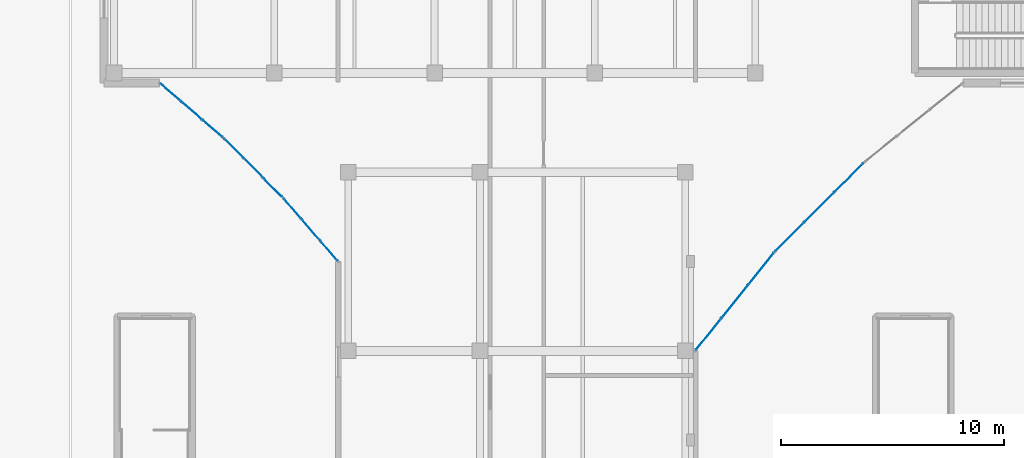
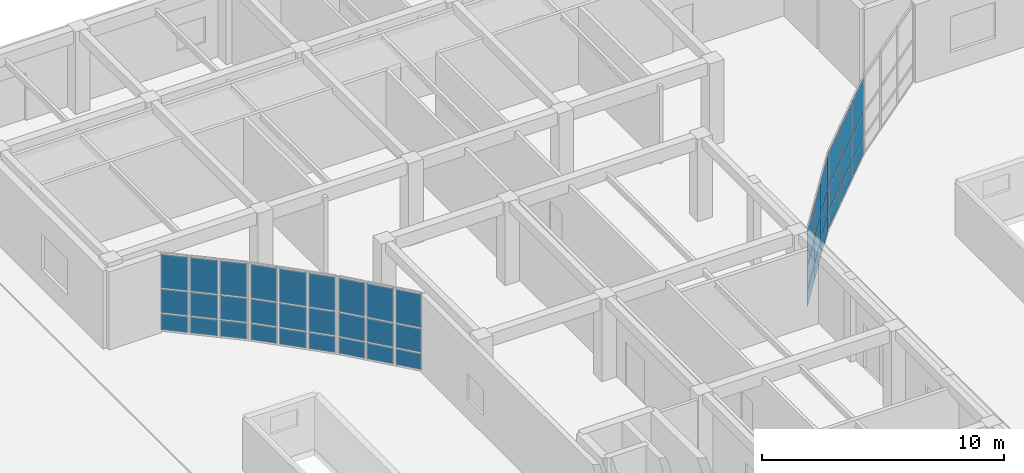
# One storey, part 65 of 114: 45 plates, 5 elements without a shape of their own.
"""IFC4 building model written with IfcOpenShell, lengths in metres."""

from ifc_helpers import new_model, si_unit, direction, frame, origin, origin_2d, place, context, subcontext, project, spatial, rectangle, extrude, material, layer, layer_set, type_object, element, aggregate, save


model = new_model("IFC4")

# Units and contexts
model_context = context("Model", 3, precision=1e-05, world=origin(), true_north=direction((0.0, 1.0)))
body_context = subcontext(model_context, "Body", "Model", "MODEL_VIEW")
ifc_project = project(units=[si_unit("LENGTHUNIT", "METRE"), si_unit("AREAUNIT", "SQUARE_METRE"), si_unit("VOLUMEUNIT", "CUBIC_METRE"), si_unit("PLANEANGLEUNIT", "RADIAN"), si_unit("MASSUNIT", "GRAM", prefix="KILO")], contexts=[model_context])

# Site, building, storey
site_placement = place(None, origin())
site = spatial("IfcSite", under=ifc_project, at=site_placement, CompositionType="ELEMENT")
building_placement = place(site_placement, origin())
building = spatial("IfcBuilding", under=site, at=building_placement, Name="Keldmere Railside Commons", CompositionType="ELEMENT")
storey_placement = place(building_placement, origin())
storey = spatial("IfcBuildingStorey", under=building, at=storey_placement, Name="L00", CompositionType="ELEMENT", Elevation=0.0)

# Curtain wall, plates
ifc_material_1 = material(Name="Thermally Broken Aluminium", Category="aluminium")
ifc_layer_1 = layer(ifc_material_1, 0.159912109375, Name="Residential Ground Entrance Lobby CW 4000x3600")
ifc_layer_set_1 = layer_set([ifc_layer_1], Name="Thermally Broken Aluminium")
curtain_wall_type_1 = type_object("IfcCurtainWallType", Name="Residential Ground Entrance Lobby CW 4000x3600", PredefinedType="NOTDEFINED", material=ifc_layer_set_1)
curtain_wall_1_placement = place(storey_placement, origin())
curtain_wall_1 = element("IfcCurtainWall", 1, at=curtain_wall_1_placement, inside=storey, type_object=curtain_wall_type_1, Name="CW-10 CW-L00-085", PredefinedType="NOTDEFINED")
ifc_material_2 = material(Name="Low-E Insulated Double Glazing", Category="glass")
ifc_layer_2 = layer(ifc_material_2, 0.033935546875, Name="Acoustic Laminated Vision Panel 34")
ifc_layer_set_2 = layer_set([ifc_layer_2], Name="Low-E Insulated Double Glazing")
plate_type_1 = type_object("IfcPlateType", Name="Acoustic Laminated Vision Panel 34", PredefinedType="CURTAIN_PANEL", material=ifc_layer_set_2)
plate_1_placement = place(storey_placement, frame((122.951416015625, 91.678955078125, 0.06494140625), z_axis=(0.0, 0.0, 1.0), x_axis=(-0.625768080915, -0.780009172323, 0.0)))
plate_1 = element("IfcPlate", 2, at=plate_1_placement, type_object=plate_type_1, Name="CW-10 panel 1.1", PredefinedType="CURTAIN_PANEL", context=body_context, shape_type="SweptSolid", body=[
    extrude(rectangle(XDim=1.795654296875, YDim=0.033935546875, at=origin_2d()), origin(), (0.0, 0.0, 1.0), 0.802490234375),
])
plate_2_placement = place(storey_placement, frame((122.951416015625, 91.678955078125, 0.932373046875), z_axis=(0.0, 0.0, 1.0), x_axis=(-0.625768080915, -0.780009172323, 0.0)))
plate_2 = element("IfcPlate", 3, at=plate_2_placement, type_object=plate_type_1, Name="CW-10 panel 1.2", PredefinedType="CURTAIN_PANEL", context=body_context, shape_type="SweptSolid", body=[
    extrude(rectangle(XDim=1.795654296875, YDim=0.033935546875, at=origin_2d()), origin(), (0.0, 0.0, 1.0), 1.18505859375),
])
plate_3_placement = place(storey_placement, frame((122.951416015625, 91.678955078125, 2.1826171875), z_axis=(0.0, 0.0, 1.0), x_axis=(-0.625768080915, -0.780009172323, 0.0)))
plate_3 = element("IfcPlate", 4, at=plate_3_placement, type_object=plate_type_1, Name="CW-10 panel 1.3", PredefinedType="CURTAIN_PANEL", context=body_context, shape_type="SweptSolid", body=[
    extrude(rectangle(XDim=1.795654296875, YDim=0.033935546875, at=origin_2d()), origin(), (0.0, 0.0, 1.0), 1.6923828125),
])
plate_4_placement = place(storey_placement, frame((121.777099609375, 90.215087890625, 0.06494140625), z_axis=(0.0, 0.0, 1.0), x_axis=(-0.625768080915, -0.780009172323, 0.0)))
plate_4 = element("IfcPlate", 5, at=plate_4_placement, type_object=plate_type_1, Name="CW-10 panel 2.1", PredefinedType="CURTAIN_PANEL", context=body_context, shape_type="SweptSolid", body=[
    extrude(rectangle(XDim=1.828125, YDim=0.033935546875, at=origin_2d()), origin(), (0.0, 0.0, 1.0), 0.802490234375),
])
plate_5_placement = place(storey_placement, frame((121.777099609375, 90.215087890625, 0.932373046875), z_axis=(0.0, 0.0, 1.0), x_axis=(-0.625768080915, -0.780009172323, 0.0)))
plate_5 = element("IfcPlate", 6, at=plate_5_placement, type_object=plate_type_1, Name="CW-10 panel 2.2", PredefinedType="CURTAIN_PANEL", context=body_context, shape_type="SweptSolid", body=[
    extrude(rectangle(XDim=1.828125, YDim=0.033935546875, at=origin_2d()), origin(), (0.0, 0.0, 1.0), 1.18505859375),
])
plate_6_placement = place(storey_placement, frame((121.777099609375, 90.215087890625, 2.1826171875), z_axis=(0.0, 0.0, 1.0), x_axis=(-0.625768080915, -0.780009172323, 0.0)))
plate_6 = element("IfcPlate", 7, at=plate_6_placement, type_object=plate_type_1, Name="CW-10 panel 2.3", PredefinedType="CURTAIN_PANEL", context=body_context, shape_type="SweptSolid", body=[
    extrude(rectangle(XDim=1.828125, YDim=0.033935546875, at=origin_2d()), origin(), (0.0, 0.0, 1.0), 1.6923828125),
])
plate_7_placement = place(storey_placement, frame((120.6025390625, 88.7509765625, 0.06494140625), z_axis=(0.0, 0.0, 1.0), x_axis=(-0.625768080915, -0.780009172323, 0.0)))
plate_7 = element("IfcPlate", 8, at=plate_7_placement, type_object=plate_type_1, Name="CW-10 panel 3.1", PredefinedType="CURTAIN_PANEL", context=body_context, shape_type="SweptSolid", body=[
    extrude(rectangle(XDim=1.795654296875, YDim=0.033935546875, at=origin_2d()), origin(), (0.0, 0.0, 1.0), 0.802490234375),
])
plate_8_placement = place(storey_placement, frame((120.6025390625, 88.7509765625, 0.932373046875), z_axis=(0.0, 0.0, 1.0), x_axis=(-0.625768080915, -0.780009172323, 0.0)))
plate_8 = element("IfcPlate", 9, at=plate_8_placement, type_object=plate_type_1, Name="CW-10 panel 3.2", PredefinedType="CURTAIN_PANEL", context=body_context, shape_type="SweptSolid", body=[
    extrude(rectangle(XDim=1.795654296875, YDim=0.033935546875, at=origin_2d()), origin(), (0.0, 0.0, 1.0), 1.18505859375),
])
plate_9_placement = place(storey_placement, frame((120.6025390625, 88.7509765625, 2.1826171875), z_axis=(0.0, 0.0, 1.0), x_axis=(-0.625768080915, -0.780009172323, 0.0)))
plate_9 = element("IfcPlate", 10, at=plate_9_placement, type_object=plate_type_1, Name="CW-10 panel 3.3", PredefinedType="CURTAIN_PANEL", context=body_context, shape_type="SweptSolid", body=[
    extrude(rectangle(XDim=1.795654296875, YDim=0.033935546875, at=origin_2d()), origin(), (0.0, 0.0, 1.0), 1.6923828125),
])
aggregate(curtain_wall_1, [plate_1, plate_2, plate_3, plate_4, plate_5, plate_6, plate_7, plate_8, plate_9])

curtain_wall_2_placement = place(storey_placement, origin())
curtain_wall_2 = element("IfcCurtainWall", 11, at=curtain_wall_2_placement, inside=storey, type_object=curtain_wall_type_1, Name="CW-10 CW-L00-088", PredefinedType="NOTDEFINED")
plate_10_placement = place(storey_placement, frame((98.369384765625, 97.952392578125, 0.06494140625), z_axis=(0.0, 0.0, 1.0), x_axis=(-0.756596767584, 0.653881741053, 0.0)))
plate_10 = element("IfcPlate", 12, at=plate_10_placement, type_object=plate_type_1, Name="CW-10 panel 1.1", PredefinedType="CURTAIN_PANEL", context=body_context, shape_type="SweptSolid", body=[
    extrude(rectangle(XDim=1.16162109375, YDim=0.033935546875, at=origin_2d()), origin(), (0.0, 0.0, 1.0), 0.802490234375),
])
plate_11_placement = place(storey_placement, frame((98.369384765625, 97.952392578125, 0.932373046875), z_axis=(0.0, 0.0, 1.0), x_axis=(-0.756596767584, 0.653881741053, 0.0)))
plate_11 = element("IfcPlate", 13, at=plate_11_placement, type_object=plate_type_1, Name="CW-10 panel 1.2", PredefinedType="CURTAIN_PANEL", context=body_context, shape_type="SweptSolid", body=[
    extrude(rectangle(XDim=1.16162109375, YDim=0.033935546875, at=origin_2d()), origin(), (0.0, 0.0, 1.0), 1.18505859375),
])
plate_12_placement = place(storey_placement, frame((98.369384765625, 97.952392578125, 2.1826171875), z_axis=(0.0, 0.0, 1.0), x_axis=(-0.756596767584, 0.653881741053, 0.0)))
plate_12 = element("IfcPlate", 14, at=plate_12_placement, type_object=plate_type_1, Name="CW-10 panel 1.3", PredefinedType="CURTAIN_PANEL", context=body_context, shape_type="SweptSolid", body=[
    extrude(rectangle(XDim=1.16162109375, YDim=0.033935546875, at=origin_2d()), origin(), (0.0, 0.0, 1.0), 1.6923828125),
])
plate_13_placement = place(storey_placement, frame((97.428955078125, 98.764892578125, 0.06494140625), z_axis=(0.0, 0.0, 1.0), x_axis=(-0.756596767584, 0.653881741053, 0.0)))
plate_13 = element("IfcPlate", 15, at=plate_13_placement, type_object=plate_type_1, Name="CW-10 panel 2.1", PredefinedType="CURTAIN_PANEL", context=body_context, shape_type="SweptSolid", body=[
    extrude(rectangle(XDim=1.194091796875, YDim=0.033935546875, at=origin_2d()), origin(), (0.0, 0.0, 1.0), 0.802490234375),
])
plate_14_placement = place(storey_placement, frame((97.428955078125, 98.764892578125, 0.932373046875), z_axis=(0.0, 0.0, 1.0), x_axis=(-0.756596767584, 0.653881741053, 0.0)))
plate_14 = element("IfcPlate", 16, at=plate_14_placement, type_object=plate_type_1, Name="CW-10 panel 2.2", PredefinedType="CURTAIN_PANEL", context=body_context, shape_type="SweptSolid", body=[
    extrude(rectangle(XDim=1.194091796875, YDim=0.033935546875, at=origin_2d()), origin(), (0.0, 0.0, 1.0), 1.18505859375),
])
plate_15_placement = place(storey_placement, frame((97.428955078125, 98.764892578125, 2.1826171875), z_axis=(0.0, 0.0, 1.0), x_axis=(-0.756596767584, 0.653881741053, 0.0)))
plate_15 = element("IfcPlate", 17, at=plate_15_placement, type_object=plate_type_1, Name="CW-10 panel 2.3", PredefinedType="CURTAIN_PANEL", context=body_context, shape_type="SweptSolid", body=[
    extrude(rectangle(XDim=1.194091796875, YDim=0.033935546875, at=origin_2d()), origin(), (0.0, 0.0, 1.0), 1.6923828125),
])
plate_16_placement = place(storey_placement, frame((96.488525390625, 99.57763671875, 0.06494140625), z_axis=(0.0, 0.0, 1.0), x_axis=(-0.756596767584, 0.653881741053, 0.0)))
plate_16 = element("IfcPlate", 18, at=plate_16_placement, type_object=plate_type_1, Name="CW-10 panel 3.1", PredefinedType="CURTAIN_PANEL", context=body_context, shape_type="SweptSolid", body=[
    extrude(rectangle(XDim=1.16162109375, YDim=0.033935546875, at=origin_2d()), origin(), (0.0, 0.0, 1.0), 0.802490234375),
])
plate_17_placement = place(storey_placement, frame((96.488525390625, 99.57763671875, 0.932373046875), z_axis=(0.0, 0.0, 1.0), x_axis=(-0.756596767584, 0.653881741053, 0.0)))
plate_17 = element("IfcPlate", 19, at=plate_17_placement, type_object=plate_type_1, Name="CW-10 panel 3.2", PredefinedType="CURTAIN_PANEL", context=body_context, shape_type="SweptSolid", body=[
    extrude(rectangle(XDim=1.16162109375, YDim=0.033935546875, at=origin_2d()), origin(), (0.0, 0.0, 1.0), 1.18505859375),
])
plate_18_placement = place(storey_placement, frame((96.488525390625, 99.57763671875, 2.1826171875), z_axis=(0.0, 0.0, 1.0), x_axis=(-0.756596767584, 0.653881741053, 0.0)))
plate_18 = element("IfcPlate", 20, at=plate_18_placement, type_object=plate_type_1, Name="CW-10 panel 3.3", PredefinedType="CURTAIN_PANEL", context=body_context, shape_type="SweptSolid", body=[
    extrude(rectangle(XDim=1.16162109375, YDim=0.033935546875, at=origin_2d()), origin(), (0.0, 0.0, 1.0), 1.6923828125),
])
aggregate(curtain_wall_2, [plate_10, plate_11, plate_12, plate_13, plate_14, plate_15, plate_16, plate_17, plate_18])

ifc_layer_3 = layer(ifc_material_1, 0.159912109375, Name="Residential Lounge Frontage CW 4600x3600")
ifc_layer_set_3 = layer_set([ifc_layer_3], Name="Thermally Broken Aluminium")
curtain_wall_type_2 = type_object("IfcCurtainWallType", Name="Residential Lounge Frontage CW 4600x3600", PredefinedType="NOTDEFINED", material=ifc_layer_set_3)
curtain_wall_3_placement = place(storey_placement, origin())
curtain_wall_3 = element("IfcCurtainWall", 21, at=curtain_wall_3_placement, inside=storey, type_object=curtain_wall_type_2, Name="CW-11 CW-L00-086", PredefinedType="NOTDEFINED")
ifc_layer_4 = layer(ifc_material_2, 0.031982421875, Name="Clerestory Solar-Control Vision Panel 32")
ifc_layer_set_4 = layer_set([ifc_layer_4], Name="Low-E Insulated Double Glazing")
plate_type_2 = type_object("IfcPlateType", Name="Clerestory Solar-Control Vision Panel 32", PredefinedType="CURTAIN_PANEL", material=ifc_layer_set_4)
plate_19_placement = place(storey_placement, frame((126.88916015625, 95.76513671875, 0.06494140625), z_axis=(0.0, 0.0, 1.0), x_axis=(-0.707106781187, -0.707106781187, 0.0)))
plate_19 = element("IfcPlate", 22, at=plate_19_placement, type_object=plate_type_2, Name="CW-11 panel 1.1", PredefinedType="CURTAIN_PANEL", context=body_context, shape_type="SweptSolid", body=[
    extrude(rectangle(XDim=1.795654296875, YDim=0.031982421875, at=origin_2d()), origin(), (0.0, 0.0, 1.0), 0.802490234375),
])
plate_20_placement = place(storey_placement, frame((126.88916015625, 95.76513671875, 0.932373046875), z_axis=(0.0, 0.0, 1.0), x_axis=(-0.707106781187, -0.707106781187, 0.0)))
plate_20 = element("IfcPlate", 23, at=plate_20_placement, type_object=plate_type_2, Name="CW-11 panel 1.2", PredefinedType="CURTAIN_PANEL", context=body_context, shape_type="SweptSolid", body=[
    extrude(rectangle(XDim=1.795654296875, YDim=0.031982421875, at=origin_2d()), origin(), (0.0, 0.0, 1.0), 1.18505859375),
])
plate_21_placement = place(storey_placement, frame((126.88916015625, 95.76513671875, 2.1826171875), z_axis=(0.0, 0.0, 1.0), x_axis=(-0.707106781187, -0.707106781187, 0.0)))
plate_21 = element("IfcPlate", 24, at=plate_21_placement, type_object=plate_type_2, Name="CW-11 panel 1.3", PredefinedType="CURTAIN_PANEL", context=body_context, shape_type="SweptSolid", body=[
    extrude(rectangle(XDim=1.795654296875, YDim=0.031982421875, at=origin_2d()), origin(), (0.0, 0.0, 1.0), 1.6923828125),
])
plate_22_placement = place(storey_placement, frame((125.56201171875, 94.43798828125, 0.06494140625), z_axis=(0.0, 0.0, 1.0), x_axis=(-0.707106781187, -0.707106781187, 0.0)))
plate_22 = element("IfcPlate", 25, at=plate_22_placement, type_object=plate_type_2, Name="CW-11 panel 2.1", PredefinedType="CURTAIN_PANEL", context=body_context, shape_type="SweptSolid", body=[
    extrude(rectangle(XDim=1.828125, YDim=0.031982421875, at=origin_2d()), origin(), (0.0, 0.0, 1.0), 0.802490234375),
])
plate_23_placement = place(storey_placement, frame((125.56201171875, 94.43798828125, 0.932373046875), z_axis=(0.0, 0.0, 1.0), x_axis=(-0.707106781187, -0.707106781187, 0.0)))
plate_23 = element("IfcPlate", 26, at=plate_23_placement, type_object=plate_type_2, Name="CW-11 panel 2.2", PredefinedType="CURTAIN_PANEL", context=body_context, shape_type="SweptSolid", body=[
    extrude(rectangle(XDim=1.828125, YDim=0.031982421875, at=origin_2d()), origin(), (0.0, 0.0, 1.0), 1.18505859375),
])
plate_24_placement = place(storey_placement, frame((125.56201171875, 94.43798828125, 2.1826171875), z_axis=(0.0, 0.0, 1.0), x_axis=(-0.707106781187, -0.707106781187, 0.0)))
plate_24 = element("IfcPlate", 27, at=plate_24_placement, type_object=plate_type_2, Name="CW-11 panel 2.3", PredefinedType="CURTAIN_PANEL", context=body_context, shape_type="SweptSolid", body=[
    extrude(rectangle(XDim=1.828125, YDim=0.031982421875, at=origin_2d()), origin(), (0.0, 0.0, 1.0), 1.6923828125),
])
plate_25_placement = place(storey_placement, frame((124.23486328125, 93.11083984375, 0.06494140625), z_axis=(0.0, 0.0, 1.0), x_axis=(-0.707106781187, -0.707106781187, 0.0)))
plate_25 = element("IfcPlate", 28, at=plate_25_placement, type_object=plate_type_2, Name="CW-11 panel 3.1", PredefinedType="CURTAIN_PANEL", context=body_context, shape_type="SweptSolid", body=[
    extrude(rectangle(XDim=1.795654296875, YDim=0.031982421875, at=origin_2d()), origin(), (0.0, 0.0, 1.0), 0.802490234375),
])
plate_26_placement = place(storey_placement, frame((124.23486328125, 93.11083984375, 0.932373046875), z_axis=(0.0, 0.0, 1.0), x_axis=(-0.707106781187, -0.707106781187, 0.0)))
plate_26 = element("IfcPlate", 29, at=plate_26_placement, type_object=plate_type_2, Name="CW-11 panel 3.2", PredefinedType="CURTAIN_PANEL", context=body_context, shape_type="SweptSolid", body=[
    extrude(rectangle(XDim=1.795654296875, YDim=0.031982421875, at=origin_2d()), origin(), (0.0, 0.0, 1.0), 1.18505859375),
])
plate_27_placement = place(storey_placement, frame((124.23486328125, 93.11083984375, 2.1826171875), z_axis=(0.0, 0.0, 1.0), x_axis=(-0.707106781187, -0.707106781187, 0.0)))
plate_27 = element("IfcPlate", 30, at=plate_27_placement, type_object=plate_type_2, Name="CW-11 panel 3.3", PredefinedType="CURTAIN_PANEL", context=body_context, shape_type="SweptSolid", body=[
    extrude(rectangle(XDim=1.795654296875, YDim=0.031982421875, at=origin_2d()), origin(), (0.0, 0.0, 1.0), 1.6923828125),
])
aggregate(curtain_wall_3, [plate_19, plate_20, plate_21, plate_22, plate_23, plate_24, plate_25, plate_26, plate_27])

curtain_wall_4_placement = place(storey_placement, origin())
curtain_wall_4 = element("IfcCurtainWall", 31, at=curtain_wall_4_placement, inside=storey, type_object=curtain_wall_type_2, Name="CW-11 CW-L00-089", PredefinedType="NOTDEFINED")
plate_28_placement = place(storey_placement, frame((101.0732421875, 95.31494140625, 0.06494140625), z_axis=(0.0, 0.0, 1.0), x_axis=(-0.707106781187, 0.707106781187, 0.0)))
plate_28 = element("IfcPlate", 32, at=plate_28_placement, type_object=plate_type_2, Name="CW-11 panel 1.1", PredefinedType="CURTAIN_PANEL", context=body_context, shape_type="SweptSolid", body=[
    extrude(rectangle(XDim=1.162109375, YDim=0.031982421875, at=origin_2d()), origin(), (0.0, 0.0, 1.0), 0.802490234375),
])
plate_29_placement = place(storey_placement, frame((101.0732421875, 95.31494140625, 0.932373046875), z_axis=(0.0, 0.0, 1.0), x_axis=(-0.707106781187, 0.707106781187, 0.0)))
plate_29 = element("IfcPlate", 33, at=plate_29_placement, type_object=plate_type_2, Name="CW-11 panel 1.2", PredefinedType="CURTAIN_PANEL", context=body_context, shape_type="SweptSolid", body=[
    extrude(rectangle(XDim=1.162109375, YDim=0.031982421875, at=origin_2d()), origin(), (0.0, 0.0, 1.0), 1.18505859375),
])
plate_30_placement = place(storey_placement, frame((101.0732421875, 95.31494140625, 2.1826171875), z_axis=(0.0, 0.0, 1.0), x_axis=(-0.707106781187, 0.707106781187, 0.0)))
plate_30 = element("IfcPlate", 34, at=plate_30_placement, type_object=plate_type_2, Name="CW-11 panel 1.3", PredefinedType="CURTAIN_PANEL", context=body_context, shape_type="SweptSolid", body=[
    extrude(rectangle(XDim=1.162109375, YDim=0.031982421875, at=origin_2d()), origin(), (0.0, 0.0, 1.0), 1.6923828125),
])
plate_31_placement = place(storey_placement, frame((100.194091796875, 96.194091796875, 0.06494140625), z_axis=(0.0, 0.0, 1.0), x_axis=(-0.707106781187, 0.707106781187, 0.0)))
plate_31 = element("IfcPlate", 35, at=plate_31_placement, type_object=plate_type_2, Name="CW-11 panel 2.1", PredefinedType="CURTAIN_PANEL", context=body_context, shape_type="SweptSolid", body=[
    extrude(rectangle(XDim=1.194580078125, YDim=0.031982421875, at=origin_2d()), origin(), (0.0, 0.0, 1.0), 0.802490234375),
])
plate_32_placement = place(storey_placement, frame((100.194091796875, 96.194091796875, 0.932373046875), z_axis=(0.0, 0.0, 1.0), x_axis=(-0.707106781187, 0.707106781187, 0.0)))
plate_32 = element("IfcPlate", 36, at=plate_32_placement, type_object=plate_type_2, Name="CW-11 panel 2.2", PredefinedType="CURTAIN_PANEL", context=body_context, shape_type="SweptSolid", body=[
    extrude(rectangle(XDim=1.194580078125, YDim=0.031982421875, at=origin_2d()), origin(), (0.0, 0.0, 1.0), 1.18505859375),
])
plate_33_placement = place(storey_placement, frame((100.194091796875, 96.194091796875, 2.1826171875), z_axis=(0.0, 0.0, 1.0), x_axis=(-0.707106781187, 0.707106781187, 0.0)))
plate_33 = element("IfcPlate", 37, at=plate_33_placement, type_object=plate_type_2, Name="CW-11 panel 2.3", PredefinedType="CURTAIN_PANEL", context=body_context, shape_type="SweptSolid", body=[
    extrude(rectangle(XDim=1.194580078125, YDim=0.031982421875, at=origin_2d()), origin(), (0.0, 0.0, 1.0), 1.6923828125),
])
plate_34_placement = place(storey_placement, frame((99.31494140625, 97.0732421875, 0.06494140625), z_axis=(0.0, 0.0, 1.0), x_axis=(-0.707106781187, 0.707106781187, 0.0)))
plate_34 = element("IfcPlate", 38, at=plate_34_placement, type_object=plate_type_2, Name="CW-11 panel 3.1", PredefinedType="CURTAIN_PANEL", context=body_context, shape_type="SweptSolid", body=[
    extrude(rectangle(XDim=1.162109375, YDim=0.031982421875, at=origin_2d()), origin(), (0.0, 0.0, 1.0), 0.802490234375),
])
plate_35_placement = place(storey_placement, frame((99.31494140625, 97.0732421875, 0.932373046875), z_axis=(0.0, 0.0, 1.0), x_axis=(-0.707106781187, 0.707106781187, 0.0)))
plate_35 = element("IfcPlate", 39, at=plate_35_placement, type_object=plate_type_2, Name="CW-11 panel 3.2", PredefinedType="CURTAIN_PANEL", context=body_context, shape_type="SweptSolid", body=[
    extrude(rectangle(XDim=1.162109375, YDim=0.031982421875, at=origin_2d()), origin(), (0.0, 0.0, 1.0), 1.18505859375),
])
plate_36_placement = place(storey_placement, frame((99.31494140625, 97.0732421875, 2.1826171875), z_axis=(0.0, 0.0, 1.0), x_axis=(-0.707106781187, 0.707106781187, 0.0)))
plate_36 = element("IfcPlate", 40, at=plate_36_placement, type_object=plate_type_2, Name="CW-11 panel 3.3", PredefinedType="CURTAIN_PANEL", context=body_context, shape_type="SweptSolid", body=[
    extrude(rectangle(XDim=1.162109375, YDim=0.031982421875, at=origin_2d()), origin(), (0.0, 0.0, 1.0), 1.6923828125),
])
aggregate(curtain_wall_4, [plate_28, plate_29, plate_30, plate_31, plate_32, plate_33, plate_34, plate_35, plate_36])

curtain_wall_5_placement = place(storey_placement, origin())
curtain_wall_5 = element("IfcCurtainWall", 41, at=curtain_wall_5_placement, inside=storey, type_object=curtain_wall_type_1, Name="CW-10 CW-L00-090", PredefinedType="NOTDEFINED")
ifc_layer_5 = layer(ifc_material_2, 0.028076171875, Name="Low-E Vision Glazing Panel 28")
ifc_layer_set_5 = layer_set([ifc_layer_5], Name="Low-E Insulated Double Glazing")
plate_type_3 = type_object("IfcPlateType", Name="Low-E Vision Glazing Panel 28", PredefinedType="CURTAIN_PANEL", material=ifc_layer_set_5)
plate_37_placement = place(storey_placement, frame((103.57763671875, 92.488525390625, 0.06494140625), z_axis=(0.0, 0.0, 1.0), x_axis=(-0.653881741053, 0.756596767584, 0.0)))
plate_37 = element("IfcPlate", 42, at=plate_37_placement, type_object=plate_type_3, Name="CW-10 panel 1.1", PredefinedType="CURTAIN_PANEL", context=body_context, shape_type="SweptSolid", body=[
    extrude(rectangle(XDim=1.16162109375, YDim=0.028076171875, at=origin_2d()), origin(), (0.0, 0.0, 1.0), 0.802490234375),
])
plate_38_placement = place(storey_placement, frame((103.57763671875, 92.488525390625, 0.932373046875), z_axis=(0.0, 0.0, 1.0), x_axis=(-0.653881741053, 0.756596767584, 0.0)))
plate_38 = element("IfcPlate", 43, at=plate_38_placement, type_object=plate_type_3, Name="CW-10 panel 1.2", PredefinedType="CURTAIN_PANEL", context=body_context, shape_type="SweptSolid", body=[
    extrude(rectangle(XDim=1.16162109375, YDim=0.028076171875, at=origin_2d()), origin(), (0.0, 0.0, 1.0), 1.18505859375),
])
plate_39_placement = place(storey_placement, frame((103.57763671875, 92.488525390625, 2.1826171875), z_axis=(0.0, 0.0, 1.0), x_axis=(-0.653881741053, 0.756596767584, 0.0)))
plate_39 = element("IfcPlate", 44, at=plate_39_placement, type_object=plate_type_3, Name="CW-10 panel 1.3", PredefinedType="CURTAIN_PANEL", context=body_context, shape_type="SweptSolid", body=[
    extrude(rectangle(XDim=1.16162109375, YDim=0.028076171875, at=origin_2d()), origin(), (0.0, 0.0, 1.0), 1.6923828125),
])
plate_40_placement = place(storey_placement, frame((102.764892578125, 93.428955078125, 0.06494140625), z_axis=(0.0, 0.0, 1.0), x_axis=(-0.653881741053, 0.756596767584, 0.0)))
plate_40 = element("IfcPlate", 45, at=plate_40_placement, type_object=plate_type_3, Name="CW-10 panel 2.1", PredefinedType="CURTAIN_PANEL", context=body_context, shape_type="SweptSolid", body=[
    extrude(rectangle(XDim=1.194091796875, YDim=0.028076171875, at=origin_2d()), origin(), (0.0, 0.0, 1.0), 0.802490234375),
])
plate_41_placement = place(storey_placement, frame((102.764892578125, 93.428955078125, 0.932373046875), z_axis=(0.0, 0.0, 1.0), x_axis=(-0.653881741053, 0.756596767584, 0.0)))
plate_41 = element("IfcPlate", 46, at=plate_41_placement, type_object=plate_type_3, Name="CW-10 panel 2.2", PredefinedType="CURTAIN_PANEL", context=body_context, shape_type="SweptSolid", body=[
    extrude(rectangle(XDim=1.194091796875, YDim=0.028076171875, at=origin_2d()), origin(), (0.0, 0.0, 1.0), 1.18505859375),
])
plate_42_placement = place(storey_placement, frame((102.764892578125, 93.428955078125, 2.1826171875), z_axis=(0.0, 0.0, 1.0), x_axis=(-0.653881741053, 0.756596767584, 0.0)))
plate_42 = element("IfcPlate", 47, at=plate_42_placement, type_object=plate_type_3, Name="CW-10 panel 2.3", PredefinedType="CURTAIN_PANEL", context=body_context, shape_type="SweptSolid", body=[
    extrude(rectangle(XDim=1.194091796875, YDim=0.028076171875, at=origin_2d()), origin(), (0.0, 0.0, 1.0), 1.6923828125),
])
plate_43_placement = place(storey_placement, frame((101.952392578125, 94.369384765625, 0.06494140625), z_axis=(0.0, 0.0, 1.0), x_axis=(-0.653881741053, 0.756596767584, 0.0)))
plate_43 = element("IfcPlate", 48, at=plate_43_placement, type_object=plate_type_3, Name="CW-10 panel 3.1", PredefinedType="CURTAIN_PANEL", context=body_context, shape_type="SweptSolid", body=[
    extrude(rectangle(XDim=1.16162109375, YDim=0.028076171875, at=origin_2d()), origin(), (0.0, 0.0, 1.0), 0.802490234375),
])
plate_44_placement = place(storey_placement, frame((101.952392578125, 94.369384765625, 0.932373046875), z_axis=(0.0, 0.0, 1.0), x_axis=(-0.653881741053, 0.756596767584, 0.0)))
plate_44 = element("IfcPlate", 49, at=plate_44_placement, type_object=plate_type_3, Name="CW-10 panel 3.2", PredefinedType="CURTAIN_PANEL", context=body_context, shape_type="SweptSolid", body=[
    extrude(rectangle(XDim=1.16162109375, YDim=0.028076171875, at=origin_2d()), origin(), (0.0, 0.0, 1.0), 1.18505859375),
])
plate_45_placement = place(storey_placement, frame((101.952392578125, 94.369384765625, 2.1826171875), z_axis=(0.0, 0.0, 1.0), x_axis=(-0.653881741053, 0.756596767584, 0.0)))
plate_45 = element("IfcPlate", 50, at=plate_45_placement, type_object=plate_type_3, Name="CW-10 panel 3.3", PredefinedType="CURTAIN_PANEL", context=body_context, shape_type="SweptSolid", body=[
    extrude(rectangle(XDim=1.16162109375, YDim=0.028076171875, at=origin_2d()), origin(), (0.0, 0.0, 1.0), 1.6923828125),
])
aggregate(curtain_wall_5, [plate_37, plate_38, plate_39, plate_40, plate_41, plate_42, plate_43, plate_44, plate_45])

save(model, "model.ifc")
